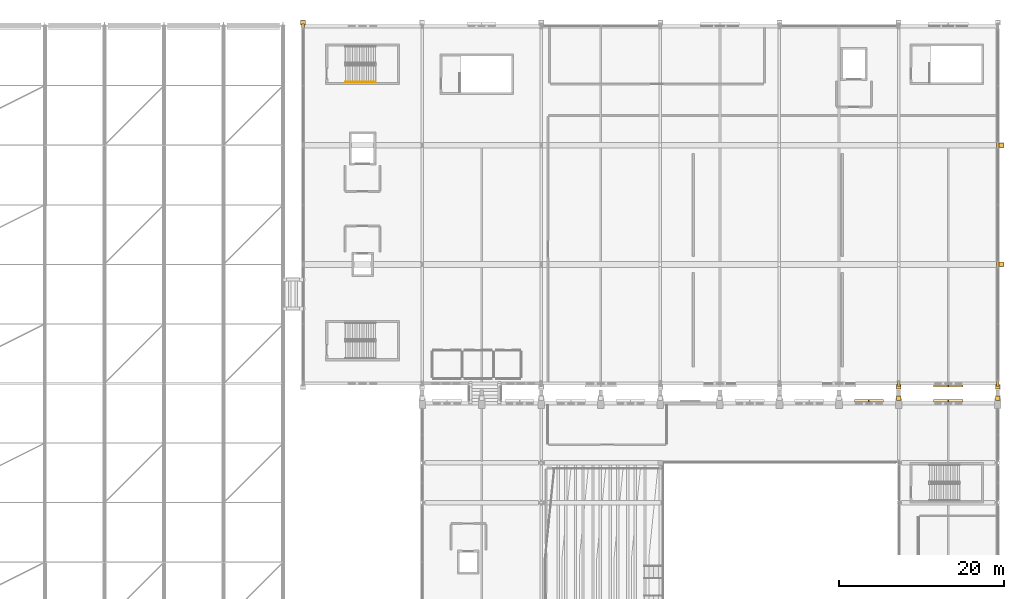
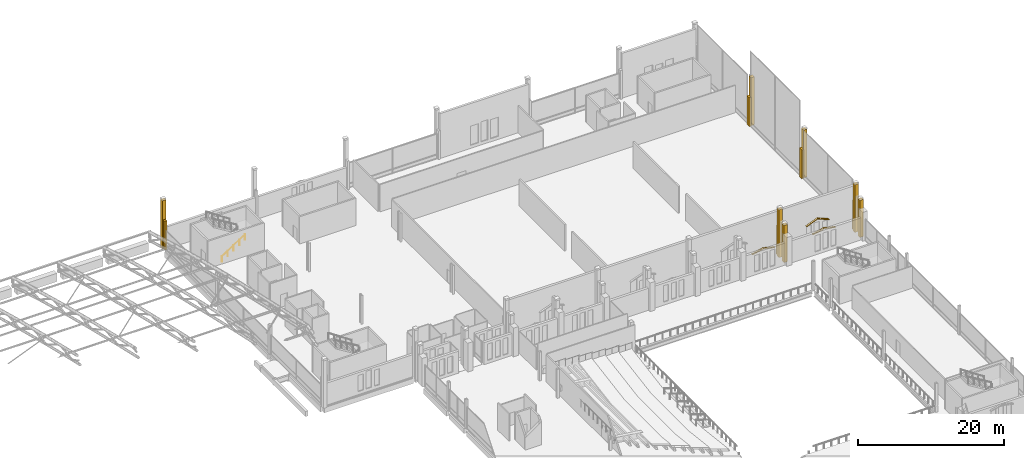
# One storey, part 191 of 193: 18 coverings, 1 railing.
"""IFC4 building model written with IfcOpenShell, lengths in metres."""

import ifcopenshell
import ifcopenshell.guid

model = None  # the IFC model being written
_history = None  # IfcOwnerHistory: only IFC2X3 demands one
_inside = {}  # id of a spatial element -> (the spatial element, [elements in it])
_under = {}  # id of a project, library or spatial element -> (it, [spatial elements below it])
_declared = {}  # id of a project -> (the project, [libraries it declares])
_typed = {}  # id of a type object -> (the type object, [elements of that type])
_made_of = {}  # id of a material, layer set ... -> (it, [elements and type objects made of it])


def new_model(schema):
    """Start an empty IFC model of exactly this schema.

    Asked for "IFC4X3", IfcOpenShell would pick the latest addendum, in which some entities
    have other attributes; the version numbers below select the first issue.
    IFC2X3 requires an IfcOwnerHistory on every rooted entity: one is made here for all.
    """
    global model, _history
    if schema == "IFC4X3":
        model = ifcopenshell.file(schema_version=(4, 3, 0, 0))
    else:
        model = ifcopenshell.file(schema=schema)
    _inside.clear()
    _under.clear()
    _declared.clear()
    _typed.clear()
    _made_of.clear()
    _history = None
    if model.schema == "IFC2X3":
        org = make("IfcOrganization", Name="unknown")
        user = make(
            "IfcPersonAndOrganization",
            ThePerson=make("IfcPerson", FamilyName="unknown"),
            TheOrganization=org,
        )
        app = make(
            "IfcApplication",
            ApplicationDeveloper=org,
            Version="unknown",
            ApplicationFullName="unknown",
            ApplicationIdentifier="unknown",
        )
        _history = make(
            "IfcOwnerHistory",
            OwningUser=user,
            OwningApplication=app,
            ChangeAction="ADDED",
            CreationDate=0,
        )
    return model


def make(cls, **values):
    """One entity of the class cls with the attributes given. An attribute that is None is left unset."""
    return model.create_entity(
        cls, **{name: value for name, value in values.items() if value is not None}
    )


def rooted(cls, **values):
    """An entity with a GlobalId (a new one), such as an element, a storey or a relation."""
    return make(cls, GlobalId=ifcopenshell.guid.new(), OwnerHistory=_history, **values)


def si_unit(unit_type, name, prefix=None):
    """IfcSIUnit, for example si_unit("LENGTHUNIT", "METRE", prefix="MILLI")."""
    return make("IfcSIUnit", UnitType=unit_type, Prefix=prefix, Name=name)


def assignment(units):
    """IfcUnitAssignment: the units of a project."""
    return None if units is None else make("IfcUnitAssignment", Units=units)


def point(xyz):
    """IfcCartesianPoint."""
    return None if xyz is None else make("IfcCartesianPoint", Coordinates=xyz)


def direction(xyz):
    """IfcDirection."""
    return None if xyz is None else make("IfcDirection", DirectionRatios=xyz)


def frame(location, z_axis=None, x_axis=None):
    """IfcAxis2Placement3D, a coordinate frame: its origin and axes. An axis left out is left unset."""
    return make(
        "IfcAxis2Placement3D",
        Location=point(location),
        Axis=direction(z_axis),
        RefDirection=direction(x_axis),
    )


def frame_2d(location, x_axis=None):
    """IfcAxis2Placement2D, a coordinate frame in the plane: its origin and x axis."""
    return make(
        "IfcAxis2Placement2D", Location=point(location), RefDirection=direction(x_axis)
    )


def origin():
    """The frame at (0, 0, 0) with its axes left unset."""
    return frame((0.0, 0.0, 0.0))


def origin_2d():
    """The frame at (0, 0) in the plane with its x axis left unset."""
    return frame_2d((0.0, 0.0))


def place(relative_to, where):
    """IfcLocalPlacement: puts the frame where relative to a parent placement (None: the world)."""
    return make(
        "IfcLocalPlacement", PlacementRelTo=relative_to, RelativePlacement=where
    )


def context(
    kind, dimensions, precision=None, world=None, true_north=None, identifier=None
):
    """IfcGeometricRepresentationContext, for example the 3D "Model" context."""
    return make(
        "IfcGeometricRepresentationContext",
        ContextIdentifier=identifier,
        ContextType=kind,
        CoordinateSpaceDimension=dimensions,
        Precision=precision,
        WorldCoordinateSystem=world,
        TrueNorth=true_north,
    )


def subcontext(parent, identifier, kind, view, scale=None):
    """IfcGeometricRepresentationSubContext, for example "Body" below "Model"."""
    return make(
        "IfcGeometricRepresentationSubContext",
        ContextIdentifier=identifier,
        ContextType=kind,
        ParentContext=parent,
        TargetScale=scale,
        TargetView=view,
    )


def project(units=None, contexts=None):
    """IfcProject with its units and contexts."""
    return rooted(
        "IfcProject",
        Name="project",
        RepresentationContexts=contexts,
        UnitsInContext=assignment(units),
    )


def spatial(cls, under=None, at=None, **own):
    """A site, building, storey or space (cls), placed at a placement, below another one or the project."""
    s = rooted(cls, ObjectPlacement=at, **own)
    if under is not None:
        _under.setdefault(under.id(), (under, []))[1].append(s)
    return s


def polyline(points):
    """IfcPolyline through the points."""
    return make("IfcPolyline", Points=[point(p) for p in points])


def profile(cls, at=None, kind="AREA", **sizes):
    """A parametric profile (cls). Its sizes go by their IFC names, for example OverallWidth=200.0."""
    return make(cls, ProfileType=kind, Position=at, **sizes)


def circle(**sizes):
    """IfcCircleProfileDef."""
    return profile("IfcCircleProfileDef", **sizes)


def outline(outer, holes=None, kind="AREA"):
    """IfcArbitraryClosedProfileDef: a profile drawn as a closed curve; with holes, ...WithVoids."""
    if holes is None:
        return make("IfcArbitraryClosedProfileDef", ProfileType=kind, OuterCurve=outer)
    return make(
        "IfcArbitraryProfileDefWithVoids",
        ProfileType=kind,
        OuterCurve=outer,
        InnerCurves=holes,
    )


def extrude(swept, where, along, depth):
    """IfcExtrudedAreaSolid: the profile swept, set in the frame where, extruded along a direction by depth."""
    return make(
        "IfcExtrudedAreaSolid",
        SweptArea=swept,
        Position=where,
        ExtrudedDirection=direction(along),
        Depth=depth,
    )


def shape(context_of_items, identifier, shape_type, items):
    """IfcShapeRepresentation: the items that make up one representation, for example the "Body"."""
    return make(
        "IfcShapeRepresentation",
        ContextOfItems=context_of_items,
        RepresentationIdentifier=identifier,
        RepresentationType=shape_type,
        Items=items,
    )


def material(Name=None, Category=None):
    """IfcMaterial."""
    return make("IfcMaterial", Name=Name, Category=Category)


def layer(
    of_material, thickness, ventilated=None, Name=None, Category=None, Priority=None
):
    """IfcMaterialLayer: one layer of a wall or slab, of a material (None: an air gap)."""
    return make(
        "IfcMaterialLayer",
        Material=of_material,
        LayerThickness=thickness,
        IsVentilated=ventilated,
        Name=Name,
        Category=Category,
        Priority=Priority,
    )


def layer_set(layers, Name=None):
    """IfcMaterialLayerSet."""
    return make("IfcMaterialLayerSet", MaterialLayers=layers, LayerSetName=Name)


def made_of(thing, what):
    """Note that an element or type object is made of a material, layer set ...; save() writes the relation."""
    if what is not None:
        _made_of.setdefault(what.id(), (what, []))[1].append(thing)
    return thing


def type_object(cls, material=None, **own):
    """A type object (cls), such as IfcWallType, which elements share."""
    return made_of(rooted(cls, **own), material)


def element(
    cls,
    number,
    at=None,
    inside=None,
    cuts=None,
    type_object=None,
    material=None,
    context=None,
    identifier="Body",
    shape_type=None,
    held_by="IfcProductDefinitionShape",
    body=None,
    shapes=None,
    **own,
):
    """One element of the class cls, such as IfcWall. Its Tag is "e" and its number.

    at: its placement. inside: the storey or other place that contains it. cuts: it is an
    opening in that element (IfcRelVoidsElement). A single representation is given by context,
    identifier, shape_type and body (its items); several are given by shapes. held_by: the class
    of the entity that holds the representations. save() writes the other relations.
    """
    e = rooted(cls, Tag="e%d" % number, ObjectPlacement=at, **own)
    if body is not None:
        shapes = [shape(context, identifier, shape_type, body)]
    if shapes is not None:
        e.Representation = make(held_by, Representations=shapes)
    if inside is not None:
        _inside.setdefault(inside.id(), (inside, []))[1].append(e)
    if cuts is not None:
        rooted(
            "IfcRelVoidsElement", RelatingBuildingElement=cuts, RelatedOpeningElement=e
        )
    if type_object is not None:
        _typed.setdefault(type_object.id(), (type_object, []))[1].append(e)
    return made_of(e, material)


def aggregate(whole, parts):
    """IfcRelAggregates: a whole, such as a stair, and the parts it consists of."""
    return rooted("IfcRelAggregates", RelatingObject=whole, RelatedObjects=parts)


def save(model, path):
    """Write the relations noted so far, then the file.

    IfcRelAggregates (storeys below a building ...), IfcRelContainedInSpatialStructure (elements
    in a storey), IfcRelDefinesByType, IfcRelAssociatesMaterial and IfcRelDeclares: one each for
    every whole, place, type object, material and project.
    """
    for whole, parts in _under.values():
        aggregate(whole, parts)
    for where, things in _inside.values():
        rooted(
            "IfcRelContainedInSpatialStructure",
            RelatedElements=things,
            RelatingStructure=where,
        )
    for kind, things in _typed.values():
        rooted("IfcRelDefinesByType", RelatedObjects=things, RelatingType=kind)
    for what, things in _made_of.values():
        rooted("IfcRelAssociatesMaterial", RelatedObjects=things, RelatingMaterial=what)
    for by, libraries in _declared.values():
        rooted("IfcRelDeclares", RelatingContext=by, RelatedDefinitions=libraries)
    model.write(path)


model = new_model("IFC4")

# Units and contexts
model_context = context("Model", 3, precision=1e-05, world=origin(), true_north=direction((0.0, 1.0)))
body_context = subcontext(model_context, "Body", "Model", "MODEL_VIEW")
ifc_project = project(units=[si_unit("LENGTHUNIT", "METRE"), si_unit("AREAUNIT", "SQUARE_METRE"), si_unit("VOLUMEUNIT", "CUBIC_METRE"), si_unit("PLANEANGLEUNIT", "RADIAN"), si_unit("MASSUNIT", "GRAM", prefix="KILO")], contexts=[model_context])

# Site, building, storey
site_placement = place(None, origin())
site = spatial("IfcSite", under=ifc_project, at=site_placement, CompositionType="ELEMENT")
building_placement = place(site_placement, origin())
building = spatial("IfcBuilding", under=site, at=building_placement, Name="Cendralis Lancet Convention Centre", CompositionType="ELEMENT")
storey_placement = place(building_placement, frame((0.0, 0.0, 10.199951171875)))
storey = spatial("IfcBuildingStorey", under=building, at=storey_placement, Name="L02", CompositionType="ELEMENT", Elevation=10.199951171875)

# Coverings
ifc_material_1 = material(Name="Warm buff sandstone chevron cassette", Category="masonry")
ifc_layer = layer(ifc_material_1, 0.06005859375, Name="Warm buff sandstone chevron cassette")
ifc_layer_set = layer_set([ifc_layer], Name="Warm buff sandstone chevron cassette")
covering_type = type_object("IfcCoveringType", Name="ARC-CV-CLAD1", PredefinedType="CLADDING", material=ifc_layer_set)
for number, where, z_axis, x_axis, name in (
    (1, (191.43994140625, 91.64990234375, 3.27001953125), (-0.209529088731, 0.0, 0.977802414077), (0.0, -1.0, 0.0), "L02 Gothic Pointed Lancet Hood-Mould #0161L"),
    (2, (193.2099609375, 91.64990234375, 3.64501953125), (0.209529088731, 0.0, 0.977802414077), (0.0, -1.0, 0.0), "L02 Gothic Pointed Lancet Hood-Mould #0162R"),
):
    element("IfcCovering", number, at=place(storey_placement, frame(where, z_axis=z_axis, x_axis=x_axis)), inside=storey, type_object=covering_type, Name=name, PredefinedType="CLADDING", context=body_context, shape_type="SweptSolid", body=[
        extrude(outline(polyline([(0.0, 0.0), (0.284912109375, 0.0), (0.284912109375, 1.789727632909544), (0.0, 1.789727632909544), (0.0, 0.0)])), origin(), (0.0, 0.0, -1.0), 0.090087890625),
    ])
for number, where, z_axis, x_axis, name in (
    (3, (201.0, 91.64990234375, 3.27001953125), (-0.205041599325, 0.0, 0.978753259277), (0.0, -1.0, 0.0), "L02 Gothic Pointed Lancet Hood-Mould #0163L"),
    (4, (202.81005859375, 91.64990234375, 3.64501953125), (0.205041599325, 0.0, 0.978753259277), (0.0, -1.0, 0.0), "L02 Gothic Pointed Lancet Hood-Mould #0164R"),
):
    element("IfcCovering", number, at=place(storey_placement, frame(where, z_axis=z_axis, x_axis=x_axis)), inside=storey, type_object=covering_type, Name=name, PredefinedType="CLADDING", context=body_context, shape_type="SweptSolid", body=[
        extrude(outline(polyline([(0.0, 0.0), (0.284912109375, 0.0), (0.284912109375, 1.8288971664027145), (0.0, 1.8288971664027145), (0.0, 0.0)])), origin(), (0.0, 0.0, -1.0), 0.090087890625),
    ])
covering_1_placement = place(storey_placement, origin())
element("IfcCovering", 5, at=covering_1_placement, inside=storey, type_object=covering_type, Name="Gothic Stepped Stone Buttress Shaft #0048", PredefinedType="CLADDING", context=body_context, shape_type="SweptSolid", body=[
    extrude(outline(polyline([(197.080078125, 92.10009765625), (196.52001953125, 92.10009765625), (196.52001953125, 91.570068359375), (197.080078125, 91.570068359375), (197.080078125, 92.10009765625)])), origin(), (0.0, 0.0, 1.0), 6.199951171875),
])
covering_2_placement = place(storey_placement, origin())
element("IfcCovering", 6, at=covering_2_placement, inside=storey, type_object=covering_type, Name="Gothic Stepped Stone Buttress Shaft #0050", PredefinedType="CLADDING", context=body_context, shape_type="SweptSolid", body=[
    extrude(outline(polyline([(209.080078125, 92.10009765625), (208.52001953125, 92.10009765625), (208.52001953125, 91.570068359375), (209.080078125, 91.570068359375), (209.080078125, 92.10009765625)])), origin(), (0.0, 0.0, 1.0), 6.199951171875),
])
for number, where, z_axis, x_axis, name in (
    (7, (204.60009765625, 93.159912109375, 3.469970703125), (0.373157156168, 0.0, 0.927768148193), (0.0, 1.0, 0.0), "L02 Gothic Pointed Lancet Hood-Mould #0217L"),
    (8, (202.7900390625, 93.159912109375, 4.18994140625), (-0.373157156168, 0.0, 0.927768148193), (0.0, 1.0, 0.0), "L02 Gothic Pointed Lancet Hood-Mould #0218R"),
):
    element("IfcCovering", number, at=place(storey_placement, frame(where, z_axis=z_axis, x_axis=x_axis)), inside=storey, type_object=covering_type, Name=name, PredefinedType="CLADDING", context=body_context, shape_type="SweptSolid", body=[
        extrude(outline(polyline([(0.0, 0.0), (0.28515625, 0.0), (0.28515625, 1.929403446310332), (0.0, 1.929403446310332), (0.0, 0.0)])), origin(), (0.0, 0.0, -1.0), 0.090087890625),
    ])
covering_3_placement = place(storey_placement, origin())
element("IfcCovering", 9, at=covering_3_placement, inside=storey, type_object=covering_type, Name="Gothic Stepped Stone Buttress Shaft #0052", PredefinedType="CLADDING", context=body_context, shape_type="SweptSolid", body=[
    extrude(outline(polyline([(125.080078125, 137.47998046875), (124.52001953125, 137.47998046875), (124.52001953125, 136.949951171875), (125.080078125, 136.949951171875), (125.080078125, 137.47998046875)])), origin(), (0.0, 0.0, 1.0), 8.0),
])
covering_4_placement = place(storey_placement, origin())
element("IfcCovering", 10, at=covering_4_placement, inside=storey, type_object=covering_type, Name="Gothic Stepped Stone Buttress Shaft #0061", PredefinedType="CLADDING", context=body_context, shape_type="SweptSolid", body=[
    extrude(outline(polyline([(196.52001953125, 92.919921875), (197.080078125, 92.919921875), (197.080078125, 93.449951171875), (196.52001953125, 93.449951171875), (196.52001953125, 92.919921875)])), origin(), (0.0, 0.0, 1.0), 8.0),
])
covering_5_placement = place(storey_placement, origin())
element("IfcCovering", 11, at=covering_5_placement, inside=storey, type_object=covering_type, Name="Gothic Stepped Stone Buttress Shaft #0063", PredefinedType="CLADDING", context=body_context, shape_type="SweptSolid", body=[
    extrude(outline(polyline([(208.52001953125, 92.919921875), (209.080078125, 92.919921875), (209.080078125, 93.449951171875), (208.52001953125, 93.449951171875), (208.52001953125, 92.919921875)])), origin(), (0.0, 0.0, 1.0), 8.0),
])
covering_6_placement = place(storey_placement, origin())
element("IfcCovering", 12, at=covering_6_placement, inside=storey, type_object=covering_type, Name="Gothic Stepped Stone Buttress Shaft #0065", PredefinedType="CLADDING", context=body_context, shape_type="SweptSolid", body=[
    extrude(outline(polyline([(209.47998046875, 107.719970703125), (209.47998046875, 108.280029296875), (208.949951171875, 108.280029296875), (208.949951171875, 107.719970703125), (209.47998046875, 107.719970703125)])), origin(), (0.0, 0.0, 1.0), 8.0),
])
covering_7_placement = place(storey_placement, origin())
element("IfcCovering", 13, at=covering_7_placement, inside=storey, type_object=covering_type, Name="Gothic Stepped Stone Buttress Shaft #0066", PredefinedType="CLADDING", context=body_context, shape_type="SweptSolid", body=[
    extrude(outline(polyline([(209.47998046875, 122.1201171875), (209.47998046875, 122.679931640625), (208.949951171875, 122.679931640625), (208.949951171875, 122.1201171875), (209.47998046875, 122.1201171875)])), origin(), (0.0, 0.0, 1.0), 8.0),
])
covering_8_placement = place(storey_placement, origin())
element("IfcCovering", 14, at=covering_8_placement, inside=storey, type_object=covering_type, Name="Exterior Column Stone Fire-Casing L02 #043", PredefinedType="CLADDING", context=body_context, shape_type="SweptSolid", body=[
    extrude(outline(polyline([(124.637939453125, 136.5380859375), (124.9619140625, 136.5380859375), (124.9619140625, 137.06201171875), (124.637939453125, 137.06201171875), (124.637939453125, 136.5380859375)])), origin(), (0.0, 0.0, 1.0), 4.800048828125),
])
covering_9_placement = place(storey_placement, origin())
element("IfcCovering", 15, at=covering_9_placement, inside=storey, type_object=covering_type, Name="Exterior Column Stone Fire-Casing L02 #072", PredefinedType="CLADDING", context=body_context, shape_type="SweptSolid", body=[
    extrude(outline(polyline([(196.637939453125, 93.262939453125), (196.9619140625, 93.262939453125), (196.9619140625, 93.93701171875), (196.637939453125, 93.93701171875), (196.637939453125, 93.262939453125)])), origin(), (0.0, 0.0, 1.0), 4.800048828125),
])
covering_10_placement = place(storey_placement, origin())
element("IfcCovering", 16, at=covering_10_placement, inside=storey, type_object=covering_type, Name="Exterior Column Stone Fire-Casing L02 #078", PredefinedType="CLADDING", context=body_context, shape_type="SweptSolid", body=[
    extrude(outline(polyline([(208.637939453125, 93.262939453125), (208.9619140625, 93.262939453125), (208.9619140625, 93.93701171875), (208.637939453125, 93.93701171875), (208.637939453125, 93.262939453125)])), origin(), (0.0, 0.0, 1.0), 4.800048828125),
])
covering_11_placement = place(storey_placement, origin())
element("IfcCovering", 17, at=covering_11_placement, inside=storey, type_object=covering_type, Name="Exterior Column Stone Fire-Casing L02 #081", PredefinedType="CLADDING", context=body_context, shape_type="SweptSolid", body=[
    extrude(outline(polyline([(208.637939453125, 107.6630859375), (208.9619140625, 107.6630859375), (208.9619140625, 108.3369140625), (208.637939453125, 108.3369140625), (208.637939453125, 107.6630859375)])), origin(), (0.0, 0.0, 1.0), 4.800048828125),
])
covering_12_placement = place(storey_placement, origin())
element("IfcCovering", 18, at=covering_12_placement, inside=storey, type_object=covering_type, Name="Exterior Column Stone Fire-Casing L02 #084", PredefinedType="CLADDING", context=body_context, shape_type="SweptSolid", body=[
    extrude(outline(polyline([(208.637939453125, 122.06298828125), (208.9619140625, 122.06298828125), (208.9619140625, 122.737060546875), (208.637939453125, 122.737060546875), (208.637939453125, 122.06298828125)])), origin(), (0.0, 0.0, 1.0), 4.800048828125),
])

# Railing
ifc_material_2 = material(Name="Steel S355", Category="steel")
railing_type = type_object("IfcRailingType", Name="ARC-RL-CHR", PredefinedType="HANDRAIL", material=ifc_material_2)
railing_placement = place(storey_placement, frame((129.949951171875, 130.050048828125, 0.17138671875)))
element("IfcRailing", 19, at=railing_placement, inside=storey, type_object=railing_type, Name="L02 ST-05 stair handrail 1", PredefinedType="HANDRAIL", context=body_context, shape_type="SweptSolid", body=[
    extrude(circle(Radius=0.02392578125, at=origin_2d()), frame((0.0, 0.0, 0.8759765625), z_axis=(0.834856447115, 0.0, 0.55046772177), x_axis=(0.0, 1.0, 0.0)), (0.0, 0.0, 1.0), 4.360107421875),
    extrude(circle(Radius=0.02099609375, at=origin_2d()), origin(), (0.0, 0.0, 1.0), 0.851806640625),
    extrude(circle(Radius=0.02099609375, at=origin_2d()), frame((0.91015625, 0.0, 0.60009765625)), (0.0, 0.0, 1.0), 0.851806640625),
    extrude(circle(Radius=0.02099609375, at=origin_2d()), frame((1.820068359375, 0.0, 1.2001953125)), (0.0, 0.0, 1.0), 0.851806640625),
    extrude(circle(Radius=0.02099609375, at=origin_2d()), frame((2.72998046875, 0.0, 1.800048828125)), (0.0, 0.0, 1.0), 0.851806640625),
    extrude(circle(Radius=0.02099609375, at=origin_2d()), frame((3.64013671875, 0.0, 2.400146484375)), (0.0, 0.0, 1.0), 0.851806640625),
])

save(model, "model.ifc")
